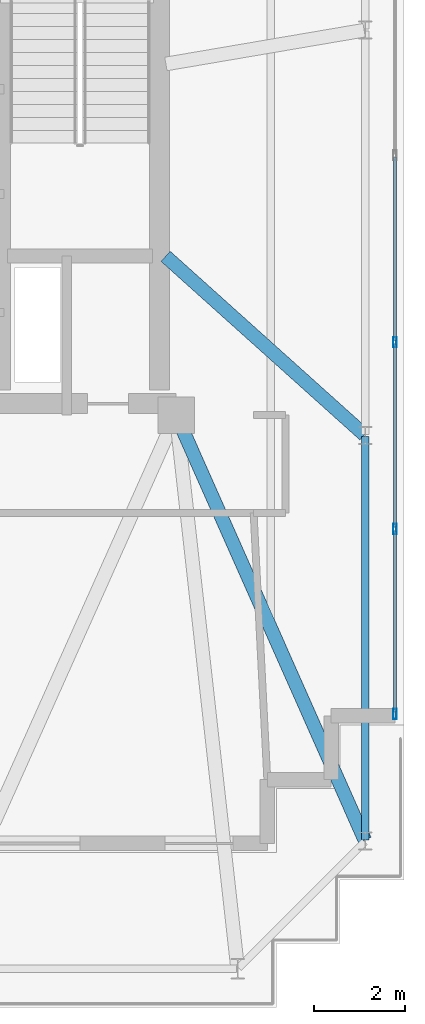
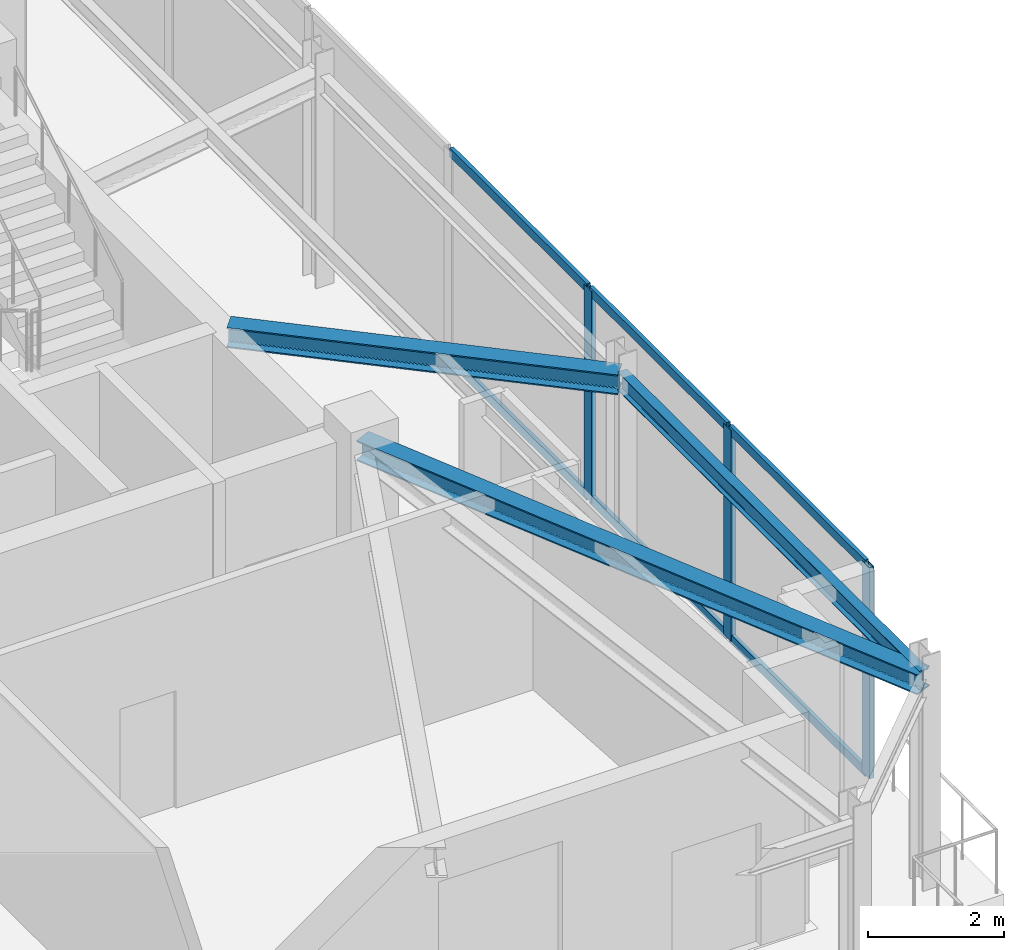
# One storey, part 12 of 24: 9 members, 3 beams, 1 element without a shape of its own.
"""IFC4 building model written with IfcOpenShell, lengths in metres."""

from ifc_helpers import new_model, si_unit, direction, frame, origin, origin_2d, place, context, subcontext, project, spatial, hollow_rectangle, i_section, extrude, material, layer, layer_set, material_profile, profile_set, type_object, element, aggregate, save


model = new_model("IFC4")

# Units and contexts
model_context = context("Model", 3, precision=1e-05, world=origin(), true_north=direction((0.0, 1.0)))
body_context = subcontext(model_context, "Body", "Model", "MODEL_VIEW")
ifc_project = project(units=[si_unit("LENGTHUNIT", "METRE"), si_unit("AREAUNIT", "SQUARE_METRE"), si_unit("VOLUMEUNIT", "CUBIC_METRE"), si_unit("PLANEANGLEUNIT", "RADIAN"), si_unit("MASSUNIT", "GRAM", prefix="KILO")], contexts=[model_context])

# Site, building, storey
site_placement = place(None, origin())
site = spatial("IfcSite", under=ifc_project, at=site_placement, CompositionType="ELEMENT")
building_placement = place(site_placement, origin())
building = spatial("IfcBuilding", under=site, at=building_placement, Name="Qobustan Lattice House", CompositionType="ELEMENT")
storey_placement = place(building_placement, frame((0.0, 0.0, 261.800048828125)))
storey = spatial("IfcBuildingStorey", under=building, at=storey_placement, Name="L74", CompositionType="ELEMENT", Elevation=261.800048828125)

# Beams
ifc_material_1 = material(Name="Steel S355", Category="steel")
ifc_material_profile_1 = material_profile(ifc_material_1, i_section(OverallWidth=0.300048828125, OverallDepth=0.360107421875, WebThickness=0.012451171875, FlangeThickness=0.0224609375, FilletRadius=0.027099609375, at=origin_2d()), Name="HEB360")
ifc_profile_set_1 = profile_set([ifc_material_profile_1], Name="Steel S355")
beam_type_1 = type_object("IfcBeamType", Name="BM-FLG-HEB360", PredefinedType="USERDEFINED", material=ifc_profile_set_1)
beam_1_placement = place(storey_placement, frame((22.931396484375, -6.033203125, 3.599853515625), z_axis=(-0.744142492307, 0.668020921186, 0.0), x_axis=(-0.668020921186, -0.744142492307, 0.0)))
element("IfcBeam", 1, at=beam_1_placement, inside=storey, type_object=beam_type_1, Name="L74 primary floor girder RAD-E2", ObjectType="GIRDER", PredefinedType="USERDEFINED", context=body_context, shape_type="SweptSolid", body=[
    extrude(i_section(OverallWidth=0.300048828125, OverallDepth=0.360107421875, WebThickness=0.012451171875, FlangeThickness=0.0224609375, FilletRadius=0.027099609375, at=origin_2d()), origin(), (0.0, 0.0, 1.0), 5.86279296875),
])
beam_2_placement = place(storey_placement, frame((22.93994140625, -14.927001953125, 3.599853515625), z_axis=(-0.405702269061, 0.914005289306, 0.0), x_axis=(-0.914005289306, -0.405702269061, 0.0)))
element("IfcBeam", 2, at=beam_2_placement, inside=storey, type_object=beam_type_1, Name="L74 primary floor girder RAD-E1", ObjectType="GIRDER", PredefinedType="USERDEFINED", context=body_context, shape_type="SweptSolid", body=[
    extrude(i_section(OverallWidth=0.300048828125, OverallDepth=0.360107421875, WebThickness=0.012451171875, FlangeThickness=0.0224609375, FilletRadius=0.027099609375, at=origin_2d()), origin(), (0.0, 0.0, 1.0), 10.1796875),
])
ifc_material_2 = material(Name="Steel S355", Category="steel")
ifc_material_profile_2 = material_profile(ifc_material_2, i_section(OverallWidth=0.159912109375, OverallDepth=0.330078125, WebThickness=0.007568359375, FlangeThickness=0.011474609375, FilletRadius=0.01806640625, at=origin_2d()), Name="IPE330")
ifc_profile_set_2 = profile_set([ifc_material_profile_2], Name="Steel S355")
beam_type_2 = type_object("IfcBeamType", Name="BM-SPD-IPE330", PredefinedType="SPANDREL", material=ifc_profile_set_2)
beam_3_placement = place(storey_placement, frame((22.949951171875, -14.925048828125, 3.614990234375), z_axis=(0.0, 1.0, 0.0), x_axis=(-1.0, 0.0, 0.0)))
element("IfcBeam", 3, at=beam_3_placement, inside=storey, type_object=beam_type_2, Name="L74 perimeter spandrel E1-E2", PredefinedType="SPANDREL", context=body_context, shape_type="SweptSolid", body=[
    extrude(i_section(OverallWidth=0.159912109375, OverallDepth=0.330078125, WebThickness=0.007568359375, FlangeThickness=0.011474609375, FilletRadius=0.01806640625, at=origin_2d()), origin(), (0.0, 0.0, 1.0), 8.85009765625),
])

# Curtain wall, members
ifc_material_3 = material(Name="Anodised aluminium and low-E glazing", Category="aluminium")
ifc_layer = layer(ifc_material_3, 0.219970703125)
ifc_layer_set = layer_set([ifc_layer], Name="Anodised aluminium and low-E glazing")
curtain_wall_type = type_object("IfcCurtainWallType", Name="CW-OBS-01", PredefinedType="USERDEFINED", material=ifc_layer_set)
curtain_wall_placement = place(storey_placement, origin())
curtain_wall = element("IfcCurtainWall", 4, at=curtain_wall_placement, inside=storey, type_object=curtain_wall_type, Name="L74 E panoramic observation curtain wall", ObjectType="CURTAIN WALL", PredefinedType="USERDEFINED")
ifc_material_4 = material(Name="Anodised aluminium EN AW-6063 T6", Category="aluminium")
ifc_material_profile_3 = material_profile(ifc_material_4, hollow_rectangle(XDim=0.080078125, YDim=0.219970703125, WallThickness=0.0048828125, at=origin_2d()), Name="CWM-220x80")
ifc_profile_set_3 = profile_set([ifc_material_profile_3], Name="Anodised aluminium EN AW-6063 T6")
member_type_1 = type_object("IfcMemberType", Name="CWM-MAIN-220", PredefinedType="MULLION", material=ifc_profile_set_3)
member_1_placement = place(storey_placement, frame((23.60009765625, -4.0, 0.0), z_axis=(0.0, 0.0, 1.0), x_axis=(1.0, 0.0, 0.0)))
member_1 = element("IfcMember", 5, at=member_1_placement, type_object=member_type_1, Name="CW-OB mullion 5", PredefinedType="MULLION", context=body_context, shape_type="SweptSolid", body=[
    extrude(hollow_rectangle(XDim=0.080078125, YDim=0.219970703125, WallThickness=0.0048828125, at=origin_2d()), origin(), (0.0, 0.0, 1.0), 3.780029296875),
])
member_2_placement = place(storey_placement, frame((23.60009765625, -8.10009765625, 0.0), z_axis=(0.0, 0.0, 1.0), x_axis=(1.0, 0.0, 0.0)))
member_2 = element("IfcMember", 6, at=member_2_placement, type_object=member_type_1, Name="CW-OB mullion 6", PredefinedType="MULLION", context=body_context, shape_type="SweptSolid", body=[
    extrude(hollow_rectangle(XDim=0.080078125, YDim=0.219970703125, WallThickness=0.0048828125, at=origin_2d()), origin(), (0.0, 0.0, 1.0), 3.780029296875),
])
member_3_placement = place(storey_placement, frame((23.60009765625, -12.159912109375, 0.0), z_axis=(0.0, 0.0, 1.0), x_axis=(1.0, 0.0, 0.0)))
member_3 = element("IfcMember", 7, at=member_3_placement, type_object=member_type_1, Name="CW-OB mullion 7", PredefinedType="MULLION", context=body_context, shape_type="SweptSolid", body=[
    extrude(hollow_rectangle(XDim=0.080078125, YDim=0.219970703125, WallThickness=0.0048828125, at=origin_2d()), origin(), (0.0, 0.0, 1.0), 3.780029296875),
])
ifc_material_5 = material(Name="Anodised aluminium EN AW-6063 T6", Category="aluminium")
ifc_material_profile_4 = material_profile(ifc_material_5, hollow_rectangle(XDim=0.06494140625, YDim=0.159912109375, WallThickness=0.00390625, at=origin_2d()), Name="CWT-160x65")
ifc_profile_set_4 = profile_set([ifc_material_profile_4], Name="Anodised aluminium EN AW-6063 T6")
member_type_2 = type_object("IfcMemberType", Name="CWT-HOR-160", PredefinedType="USERDEFINED", material=ifc_profile_set_4)
member_4_placement = place(storey_placement, frame((23.60009765625, 0.06005859375, 0.032470703125), z_axis=(0.0, -1.0, 0.0), x_axis=(1.0, 0.0, 0.0)))
member_4 = element("IfcMember", 8, at=member_4_placement, type_object=member_type_2, Name="CW-OB transom 4.1", ObjectType="TRANSOM", PredefinedType="USERDEFINED", context=body_context, shape_type="SweptSolid", body=[
    extrude(hollow_rectangle(XDim=0.06494140625, YDim=0.159912109375, WallThickness=0.00390625, at=origin_2d()), origin(), (0.0, 0.0, 1.0), 4.02001953125),
])
member_5_placement = place(storey_placement, frame((23.60009765625, 0.06005859375, 3.74755859375), z_axis=(0.0, -1.0, 0.0), x_axis=(1.0, 0.0, 0.0)))
member_5 = element("IfcMember", 9, at=member_5_placement, type_object=member_type_2, Name="CW-OB transom 4.2", ObjectType="TRANSOM", PredefinedType="USERDEFINED", context=body_context, shape_type="SweptSolid", body=[
    extrude(hollow_rectangle(XDim=0.06494140625, YDim=0.159912109375, WallThickness=0.00390625, at=origin_2d()), origin(), (0.0, 0.0, 1.0), 4.02001953125),
])
member_6_placement = place(storey_placement, frame((23.60009765625, -4.0400390625, 0.032470703125), z_axis=(0.0, -1.0, 0.0), x_axis=(1.0, 0.0, 0.0)))
member_6 = element("IfcMember", 10, at=member_6_placement, type_object=member_type_2, Name="CW-OB transom 5.1", ObjectType="TRANSOM", PredefinedType="USERDEFINED", context=body_context, shape_type="SweptSolid", body=[
    extrude(hollow_rectangle(XDim=0.06494140625, YDim=0.159912109375, WallThickness=0.00390625, at=origin_2d()), origin(), (0.0, 0.0, 1.0), 4.02001953125),
])
member_7_placement = place(storey_placement, frame((23.60009765625, -4.0400390625, 3.74755859375), z_axis=(0.0, -1.0, 0.0), x_axis=(1.0, 0.0, 0.0)))
member_7 = element("IfcMember", 11, at=member_7_placement, type_object=member_type_2, Name="CW-OB transom 5.2", ObjectType="TRANSOM", PredefinedType="USERDEFINED", context=body_context, shape_type="SweptSolid", body=[
    extrude(hollow_rectangle(XDim=0.06494140625, YDim=0.159912109375, WallThickness=0.00390625, at=origin_2d()), origin(), (0.0, 0.0, 1.0), 4.02001953125),
])
member_8_placement = place(storey_placement, frame((23.60009765625, -8.139892578125, 0.032470703125), z_axis=(0.0, -1.0, 0.0), x_axis=(1.0, 0.0, 0.0)))
member_8 = element("IfcMember", 12, at=member_8_placement, type_object=member_type_2, Name="CW-OB transom 6.1", ObjectType="TRANSOM", PredefinedType="USERDEFINED", context=body_context, shape_type="SweptSolid", body=[
    extrude(hollow_rectangle(XDim=0.06494140625, YDim=0.159912109375, WallThickness=0.00390625, at=origin_2d()), origin(), (0.0, 0.0, 1.0), 3.980224609375),
])
member_9_placement = place(storey_placement, frame((23.60009765625, -8.139892578125, 3.74755859375), z_axis=(0.0, -1.0, 0.0), x_axis=(1.0, 0.0, 0.0)))
member_9 = element("IfcMember", 13, at=member_9_placement, type_object=member_type_2, Name="CW-OB transom 6.2", ObjectType="TRANSOM", PredefinedType="USERDEFINED", context=body_context, shape_type="SweptSolid", body=[
    extrude(hollow_rectangle(XDim=0.06494140625, YDim=0.159912109375, WallThickness=0.00390625, at=origin_2d()), origin(), (0.0, 0.0, 1.0), 3.980224609375),
])
aggregate(curtain_wall, [member_1, member_2, member_3, member_4, member_5, member_6, member_7, member_8, member_9])

save(model, "model.ifc")
